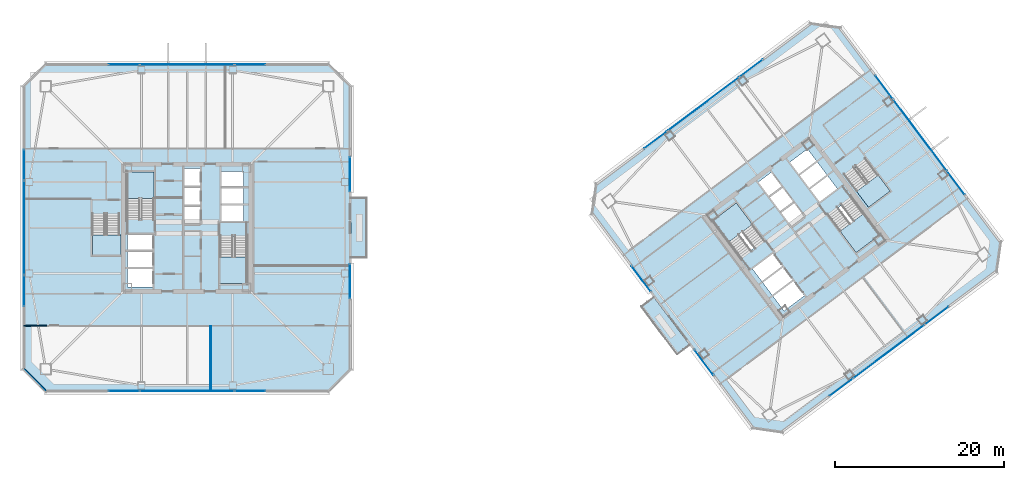
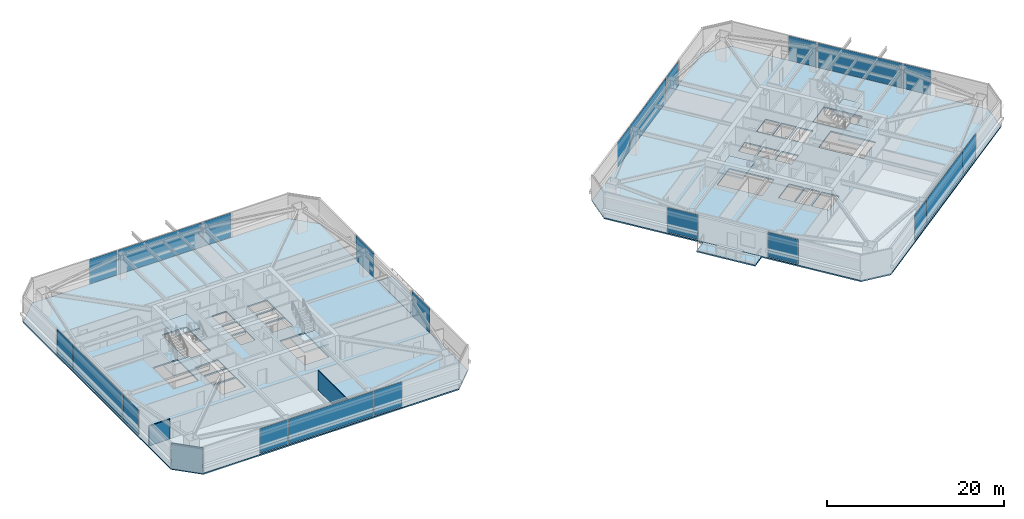
# One storey, part 29 of 40: 22 plates, 10 slabs, 3 walls, 28 elements without a shape of their own.
"""IFC4 building model written with IfcOpenShell, lengths in metres."""

import ifcopenshell
import ifcopenshell.guid

model = None  # the IFC model being written
_history = None  # IfcOwnerHistory: only IFC2X3 demands one
_inside = {}  # id of a spatial element -> (the spatial element, [elements in it])
_under = {}  # id of a project, library or spatial element -> (it, [spatial elements below it])
_declared = {}  # id of a project -> (the project, [libraries it declares])
_typed = {}  # id of a type object -> (the type object, [elements of that type])
_made_of = {}  # id of a material, layer set ... -> (it, [elements and type objects made of it])


def new_model(schema):
    """Start an empty IFC model of exactly this schema.

    Asked for "IFC4X3", IfcOpenShell would pick the latest addendum, in which some entities
    have other attributes; the version numbers below select the first issue.
    IFC2X3 requires an IfcOwnerHistory on every rooted entity: one is made here for all.
    """
    global model, _history
    if schema == "IFC4X3":
        model = ifcopenshell.file(schema_version=(4, 3, 0, 0))
    else:
        model = ifcopenshell.file(schema=schema)
    _inside.clear()
    _under.clear()
    _declared.clear()
    _typed.clear()
    _made_of.clear()
    _history = None
    if model.schema == "IFC2X3":
        org = make("IfcOrganization", Name="unknown")
        user = make(
            "IfcPersonAndOrganization",
            ThePerson=make("IfcPerson", FamilyName="unknown"),
            TheOrganization=org,
        )
        app = make(
            "IfcApplication",
            ApplicationDeveloper=org,
            Version="unknown",
            ApplicationFullName="unknown",
            ApplicationIdentifier="unknown",
        )
        _history = make(
            "IfcOwnerHistory",
            OwningUser=user,
            OwningApplication=app,
            ChangeAction="ADDED",
            CreationDate=0,
        )
    return model


def make(cls, **values):
    """One entity of the class cls with the attributes given. An attribute that is None is left unset."""
    return model.create_entity(
        cls, **{name: value for name, value in values.items() if value is not None}
    )


def rooted(cls, **values):
    """An entity with a GlobalId (a new one), such as an element, a storey or a relation."""
    return make(cls, GlobalId=ifcopenshell.guid.new(), OwnerHistory=_history, **values)


def si_unit(unit_type, name, prefix=None):
    """IfcSIUnit, for example si_unit("LENGTHUNIT", "METRE", prefix="MILLI")."""
    return make("IfcSIUnit", UnitType=unit_type, Prefix=prefix, Name=name)


def assignment(units):
    """IfcUnitAssignment: the units of a project."""
    return None if units is None else make("IfcUnitAssignment", Units=units)


def point(xyz):
    """IfcCartesianPoint."""
    return None if xyz is None else make("IfcCartesianPoint", Coordinates=xyz)


def direction(xyz):
    """IfcDirection."""
    return None if xyz is None else make("IfcDirection", DirectionRatios=xyz)


def frame(location, z_axis=None, x_axis=None):
    """IfcAxis2Placement3D, a coordinate frame: its origin and axes. An axis left out is left unset."""
    return make(
        "IfcAxis2Placement3D",
        Location=point(location),
        Axis=direction(z_axis),
        RefDirection=direction(x_axis),
    )


def frame_2d(location, x_axis=None):
    """IfcAxis2Placement2D, a coordinate frame in the plane: its origin and x axis."""
    return make(
        "IfcAxis2Placement2D", Location=point(location), RefDirection=direction(x_axis)
    )


def origin():
    """The frame at (0, 0, 0) with its axes left unset."""
    return frame((0.0, 0.0, 0.0))


def origin_2d():
    """The frame at (0, 0) in the plane with its x axis left unset."""
    return frame_2d((0.0, 0.0))


def place(relative_to, where):
    """IfcLocalPlacement: puts the frame where relative to a parent placement (None: the world)."""
    return make(
        "IfcLocalPlacement", PlacementRelTo=relative_to, RelativePlacement=where
    )


def context(
    kind, dimensions, precision=None, world=None, true_north=None, identifier=None
):
    """IfcGeometricRepresentationContext, for example the 3D "Model" context."""
    return make(
        "IfcGeometricRepresentationContext",
        ContextIdentifier=identifier,
        ContextType=kind,
        CoordinateSpaceDimension=dimensions,
        Precision=precision,
        WorldCoordinateSystem=world,
        TrueNorth=true_north,
    )


def subcontext(parent, identifier, kind, view, scale=None):
    """IfcGeometricRepresentationSubContext, for example "Body" below "Model"."""
    return make(
        "IfcGeometricRepresentationSubContext",
        ContextIdentifier=identifier,
        ContextType=kind,
        ParentContext=parent,
        TargetScale=scale,
        TargetView=view,
    )


def project(units=None, contexts=None):
    """IfcProject with its units and contexts."""
    return rooted(
        "IfcProject",
        Name="project",
        RepresentationContexts=contexts,
        UnitsInContext=assignment(units),
    )


def spatial(cls, under=None, at=None, **own):
    """A site, building, storey or space (cls), placed at a placement, below another one or the project."""
    s = rooted(cls, ObjectPlacement=at, **own)
    if under is not None:
        _under.setdefault(under.id(), (under, []))[1].append(s)
    return s


def polyline(points):
    """IfcPolyline through the points."""
    return make("IfcPolyline", Points=[point(p) for p in points])


def profile(cls, at=None, kind="AREA", **sizes):
    """A parametric profile (cls). Its sizes go by their IFC names, for example OverallWidth=200.0."""
    return make(cls, ProfileType=kind, Position=at, **sizes)


def rectangle(**sizes):
    """IfcRectangleProfileDef."""
    return profile("IfcRectangleProfileDef", **sizes)


def outline(outer, holes=None, kind="AREA"):
    """IfcArbitraryClosedProfileDef: a profile drawn as a closed curve; with holes, ...WithVoids."""
    if holes is None:
        return make("IfcArbitraryClosedProfileDef", ProfileType=kind, OuterCurve=outer)
    return make(
        "IfcArbitraryProfileDefWithVoids",
        ProfileType=kind,
        OuterCurve=outer,
        InnerCurves=holes,
    )


def extrude(swept, where, along, depth):
    """IfcExtrudedAreaSolid: the profile swept, set in the frame where, extruded along a direction by depth."""
    return make(
        "IfcExtrudedAreaSolid",
        SweptArea=swept,
        Position=where,
        ExtrudedDirection=direction(along),
        Depth=depth,
    )


def shape(context_of_items, identifier, shape_type, items):
    """IfcShapeRepresentation: the items that make up one representation, for example the "Body"."""
    return make(
        "IfcShapeRepresentation",
        ContextOfItems=context_of_items,
        RepresentationIdentifier=identifier,
        RepresentationType=shape_type,
        Items=items,
    )


def material(Name=None, Category=None):
    """IfcMaterial."""
    return make("IfcMaterial", Name=Name, Category=Category)


def layer(
    of_material, thickness, ventilated=None, Name=None, Category=None, Priority=None
):
    """IfcMaterialLayer: one layer of a wall or slab, of a material (None: an air gap)."""
    return make(
        "IfcMaterialLayer",
        Material=of_material,
        LayerThickness=thickness,
        IsVentilated=ventilated,
        Name=Name,
        Category=Category,
        Priority=Priority,
    )


def layer_set(layers, Name=None):
    """IfcMaterialLayerSet."""
    return make("IfcMaterialLayerSet", MaterialLayers=layers, LayerSetName=Name)


def made_of(thing, what):
    """Note that an element or type object is made of a material, layer set ...; save() writes the relation."""
    if what is not None:
        _made_of.setdefault(what.id(), (what, []))[1].append(thing)
    return thing


def type_object(cls, material=None, **own):
    """A type object (cls), such as IfcWallType, which elements share."""
    return made_of(rooted(cls, **own), material)


def element(
    cls,
    number,
    at=None,
    inside=None,
    cuts=None,
    type_object=None,
    material=None,
    context=None,
    identifier="Body",
    shape_type=None,
    held_by="IfcProductDefinitionShape",
    body=None,
    shapes=None,
    **own,
):
    """One element of the class cls, such as IfcWall. Its Tag is "e" and its number.

    at: its placement. inside: the storey or other place that contains it. cuts: it is an
    opening in that element (IfcRelVoidsElement). A single representation is given by context,
    identifier, shape_type and body (its items); several are given by shapes. held_by: the class
    of the entity that holds the representations. save() writes the other relations.
    """
    e = rooted(cls, Tag="e%d" % number, ObjectPlacement=at, **own)
    if body is not None:
        shapes = [shape(context, identifier, shape_type, body)]
    if shapes is not None:
        e.Representation = make(held_by, Representations=shapes)
    if inside is not None:
        _inside.setdefault(inside.id(), (inside, []))[1].append(e)
    if cuts is not None:
        rooted(
            "IfcRelVoidsElement", RelatingBuildingElement=cuts, RelatedOpeningElement=e
        )
    if type_object is not None:
        _typed.setdefault(type_object.id(), (type_object, []))[1].append(e)
    return made_of(e, material)


def aggregate(whole, parts):
    """IfcRelAggregates: a whole, such as a stair, and the parts it consists of."""
    return rooted("IfcRelAggregates", RelatingObject=whole, RelatedObjects=parts)


def save(model, path):
    """Write the relations noted so far, then the file.

    IfcRelAggregates (storeys below a building ...), IfcRelContainedInSpatialStructure (elements
    in a storey), IfcRelDefinesByType, IfcRelAssociatesMaterial and IfcRelDeclares: one each for
    every whole, place, type object, material and project.
    """
    for whole, parts in _under.values():
        aggregate(whole, parts)
    for where, things in _inside.values():
        rooted(
            "IfcRelContainedInSpatialStructure",
            RelatedElements=things,
            RelatingStructure=where,
        )
    for kind, things in _typed.values():
        rooted("IfcRelDefinesByType", RelatedObjects=things, RelatingType=kind)
    for what, things in _made_of.values():
        rooted("IfcRelAssociatesMaterial", RelatedObjects=things, RelatingMaterial=what)
    for by, libraries in _declared.values():
        rooted("IfcRelDeclares", RelatingContext=by, RelatedDefinitions=libraries)
    model.write(path)


model = new_model("IFC4")

# Units and contexts
model_context = context("Model", 3, precision=1e-05, world=origin(), true_north=direction((0.0, 1.0)))
body_context = subcontext(model_context, "Body", "Model", "MODEL_VIEW")
ifc_project = project(units=[si_unit("LENGTHUNIT", "METRE"), si_unit("AREAUNIT", "SQUARE_METRE"), si_unit("VOLUMEUNIT", "CUBIC_METRE"), si_unit("PLANEANGLEUNIT", "RADIAN"), si_unit("MASSUNIT", "GRAM", prefix="KILO")], contexts=[model_context])

# Site, building, storey
site_placement = place(None, origin())
site = spatial("IfcSite", under=ifc_project, at=site_placement, CompositionType="ELEMENT")
building_placement = place(site_placement, origin())
building = spatial("IfcBuilding", under=site, at=building_placement, Name="Tashvorn Skyway Center", CompositionType="ELEMENT")
storey_placement = place(building_placement, frame((0.0, 0.0, 142.800048828125)))
storey = spatial("IfcBuildingStorey", under=building, at=storey_placement, Name="L38", CompositionType="ELEMENT", Elevation=142.800048828125)

# Curtain wall, plate
ifc_material_1 = material(Name="Thermally broken bronze-anodized aluminium 6063-T6", Category="aluminium")
curtain_wall_type = type_object("IfcCurtainWallType", Name="CW-CW-Z3", PredefinedType="NOTDEFINED", material=ifc_material_1)
curtain_wall_1_placement = place(storey_placement, origin())
curtain_wall_1 = element("IfcCurtainWall", 1, at=curtain_wall_1_placement, inside=storey, type_object=curtain_wall_type, Name="Tower 1 L38 South Unitised Curtain Wall Glazing Group 1", PredefinedType="NOTDEFINED")
ifc_material_2 = material(Name="Low-E solar-control double insulating safety glass", Category="glass")
ifc_layer_1 = layer(ifc_material_2, 0.0400390625)
ifc_layer_set_1 = layer_set([ifc_layer_1], Name="Low-E solar-control double insulating safety glass")
plate_type = type_object("IfcPlateType", Name="CWP-CW-Z3", PredefinedType="CURTAIN_PANEL", material=ifc_layer_set_1)
plate_1_placement = place(storey_placement, frame((49.457763671875, 12.719970703125, 0.074951171875), z_axis=(0.0, 0.0, 1.0), x_axis=(-1.0, 0.0, 0.0)))
plate_1 = element("IfcPlate", 2, at=plate_1_placement, type_object=plate_type, Name="CW-Z3 panel 1.1", PredefinedType="CURTAIN_PANEL", context=body_context, shape_type="SweptSolid", body=[
    extrude(rectangle(XDim=3.578857421875, YDim=0.0400390625, at=origin_2d()), origin(), (0.0, 0.0, 1.0), 3.39990234375),
])
aggregate(curtain_wall_1, [plate_1])

curtain_wall_2_placement = place(storey_placement, origin())
curtain_wall_2 = element("IfcCurtainWall", 3, at=curtain_wall_2_placement, inside=storey, type_object=curtain_wall_type, Name="Tower 1 L38 South Unitised Curtain Wall Glazing Group 2", PredefinedType="NOTDEFINED")
plate_2_placement = place(storey_placement, frame((42.0, 12.719970703125, 0.074951171875), z_axis=(0.0, 0.0, 1.0), x_axis=(-1.0, 0.0, 0.0)))
plate_2 = element("IfcPlate", 4, at=plate_2_placement, type_object=plate_type, Name="CW-Z3 panel 1.1", PredefinedType="CURTAIN_PANEL", context=body_context, shape_type="SweptSolid", body=[
    extrude(rectangle(XDim=11.03662109375, YDim=0.0400390625, at=origin_2d()), origin(), (0.0, 0.0, 1.0), 3.39990234375),
])
aggregate(curtain_wall_2, [plate_2])

curtain_wall_3_placement = place(storey_placement, origin())
curtain_wall_3 = element("IfcCurtainWall", 5, at=curtain_wall_3_placement, inside=storey, type_object=curtain_wall_type, Name="Tower 1 L38 South Unitised Curtain Wall Glazing Group 3", PredefinedType="NOTDEFINED")
plate_3_placement = place(storey_placement, frame((34.542236328125, 12.719970703125, 0.074951171875), z_axis=(0.0, 0.0, 1.0), x_axis=(-1.0, 0.0, 0.0)))
plate_3 = element("IfcPlate", 6, at=plate_3_placement, type_object=plate_type, Name="CW-Z3 panel 1.1", PredefinedType="CURTAIN_PANEL", context=body_context, shape_type="SweptSolid", body=[
    extrude(rectangle(XDim=3.578857421875, YDim=0.0400390625, at=origin_2d()), origin(), (0.0, 0.0, 1.0), 3.39990234375),
])
aggregate(curtain_wall_3, [plate_3])

curtain_wall_4_placement = place(storey_placement, origin())
curtain_wall_4 = element("IfcCurtainWall", 7, at=curtain_wall_4_placement, inside=storey, type_object=curtain_wall_type, Name="Tower 1 L38 West Unitised Curtain Wall Glazing Group 1", PredefinedType="NOTDEFINED")
plate_4_placement = place(storey_placement, frame((22.719970703125, 24.542236328125, 0.074951171875), z_axis=(0.0, 0.0, 1.0), x_axis=(0.0, 1.0, 0.0)))
plate_4 = element("IfcPlate", 8, at=plate_4_placement, type_object=plate_type, Name="CW-Z3 panel 1.1", PredefinedType="CURTAIN_PANEL", context=body_context, shape_type="SweptSolid", body=[
    extrude(rectangle(XDim=3.578857421875, YDim=0.0400390625, at=origin_2d()), origin(), (0.0, 0.0, 1.0), 3.39990234375),
])
aggregate(curtain_wall_4, [plate_4])

curtain_wall_5_placement = place(storey_placement, origin())
curtain_wall_5 = element("IfcCurtainWall", 9, at=curtain_wall_5_placement, inside=storey, type_object=curtain_wall_type, Name="Tower 1 L38 West Unitised Curtain Wall Glazing Group 2", PredefinedType="NOTDEFINED")
plate_5_placement = place(storey_placement, frame((22.719970703125, 32.0, 0.074951171875), z_axis=(0.0, 0.0, 1.0), x_axis=(0.0, 1.0, 0.0)))
plate_5 = element("IfcPlate", 10, at=plate_5_placement, type_object=plate_type, Name="CW-Z3 panel 1.1", PredefinedType="CURTAIN_PANEL", context=body_context, shape_type="SweptSolid", body=[
    extrude(rectangle(XDim=11.03662109375, YDim=0.0400390625, at=origin_2d()), origin(), (0.0, 0.0, 1.0), 3.39990234375),
])
aggregate(curtain_wall_5, [plate_5])

curtain_wall_6_placement = place(storey_placement, origin())
curtain_wall_6 = element("IfcCurtainWall", 11, at=curtain_wall_6_placement, inside=storey, type_object=curtain_wall_type, Name="Tower 1 L38 West Unitised Curtain Wall Glazing Group 3", PredefinedType="NOTDEFINED")
plate_6_placement = place(storey_placement, frame((22.719970703125, 39.457763671875, 0.074951171875), z_axis=(0.0, 0.0, 1.0), x_axis=(0.0, 1.0, 0.0)))
plate_6 = element("IfcPlate", 12, at=plate_6_placement, type_object=plate_type, Name="CW-Z3 panel 1.1", PredefinedType="CURTAIN_PANEL", context=body_context, shape_type="SweptSolid", body=[
    extrude(rectangle(XDim=3.578857421875, YDim=0.0400390625, at=origin_2d()), origin(), (0.0, 0.0, 1.0), 3.39990234375),
])
aggregate(curtain_wall_6, [plate_6])

curtain_wall_7_placement = place(storey_placement, origin())
curtain_wall_7 = element("IfcCurtainWall", 13, at=curtain_wall_7_placement, inside=storey, type_object=curtain_wall_type, Name="Tower 1 L38 North Unitised Curtain Wall Glazing Group 1", PredefinedType="NOTDEFINED")
plate_7_placement = place(storey_placement, frame((34.542236328125, 51.280029296875, 0.074951171875), z_axis=(0.0, 0.0, 1.0), x_axis=(1.0, 0.0, 0.0)))
plate_7 = element("IfcPlate", 14, at=plate_7_placement, type_object=plate_type, Name="CW-Z3 panel 1.1", PredefinedType="CURTAIN_PANEL", context=body_context, shape_type="SweptSolid", body=[
    extrude(rectangle(XDim=3.578857421875, YDim=0.0400390625, at=origin_2d()), origin(), (0.0, 0.0, 1.0), 3.39990234375),
])
aggregate(curtain_wall_7, [plate_7])

curtain_wall_8_placement = place(storey_placement, origin())
curtain_wall_8 = element("IfcCurtainWall", 15, at=curtain_wall_8_placement, inside=storey, type_object=curtain_wall_type, Name="Tower 1 L38 North Unitised Curtain Wall Glazing Group 2", PredefinedType="NOTDEFINED")
plate_8_placement = place(storey_placement, frame((42.0, 51.280029296875, 0.074951171875), z_axis=(0.0, 0.0, 1.0), x_axis=(1.0, 0.0, 0.0)))
plate_8 = element("IfcPlate", 16, at=plate_8_placement, type_object=plate_type, Name="CW-Z3 panel 1.1", PredefinedType="CURTAIN_PANEL", context=body_context, shape_type="SweptSolid", body=[
    extrude(rectangle(XDim=11.03662109375, YDim=0.0400390625, at=origin_2d()), origin(), (0.0, 0.0, 1.0), 3.39990234375),
])
aggregate(curtain_wall_8, [plate_8])

curtain_wall_9_placement = place(storey_placement, origin())
curtain_wall_9 = element("IfcCurtainWall", 17, at=curtain_wall_9_placement, inside=storey, type_object=curtain_wall_type, Name="Tower 1 L38 North Unitised Curtain Wall Glazing Group 3", PredefinedType="NOTDEFINED")
plate_9_placement = place(storey_placement, frame((49.457763671875, 51.280029296875, 0.074951171875), z_axis=(0.0, 0.0, 1.0), x_axis=(1.0, 0.0, 0.0)))
plate_9 = element("IfcPlate", 18, at=plate_9_placement, type_object=plate_type, Name="CW-Z3 panel 1.1", PredefinedType="CURTAIN_PANEL", context=body_context, shape_type="SweptSolid", body=[
    extrude(rectangle(XDim=3.578857421875, YDim=0.0400390625, at=origin_2d()), origin(), (0.0, 0.0, 1.0), 3.39990234375),
])
aggregate(curtain_wall_9, [plate_9])

curtain_wall_10_placement = place(storey_placement, origin())
curtain_wall_10 = element("IfcCurtainWall", 19, at=curtain_wall_10_placement, inside=storey, type_object=curtain_wall_type, Name="Tower 1 L38 East Curtain Wall L Glazing Group 1", PredefinedType="NOTDEFINED")
plate_10_placement = place(storey_placement, frame((61.280029296875, 38.33837890625, 0.074951171875), z_axis=(0.0, 0.0, 1.0), x_axis=(0.0, -1.0, 0.0)))
plate_10 = element("IfcPlate", 20, at=plate_10_placement, type_object=plate_type, Name="CW-Z3 panel 1.1", PredefinedType="CURTAIN_PANEL", context=body_context, shape_type="SweptSolid", body=[
    extrude(rectangle(XDim=4.026611328125, YDim=0.0400390625, at=origin_2d()), origin(), (0.0, 0.0, 1.0), 3.39990234375),
])
aggregate(curtain_wall_10, [plate_10])

curtain_wall_11_placement = place(storey_placement, origin())
curtain_wall_11 = element("IfcCurtainWall", 21, at=curtain_wall_11_placement, inside=storey, type_object=curtain_wall_type, Name="Tower 1 L38 East Curtain Wall R Glazing Group 1", PredefinedType="NOTDEFINED")
plate_11_placement = place(storey_placement, frame((61.280029296875, 25.66162109375, 0.074951171875), z_axis=(0.0, 0.0, 1.0), x_axis=(0.0, -1.0, 0.0)))
plate_11 = element("IfcPlate", 22, at=plate_11_placement, type_object=plate_type, Name="CW-Z3 panel 1.1", PredefinedType="CURTAIN_PANEL", context=body_context, shape_type="SweptSolid", body=[
    extrude(rectangle(XDim=4.026611328125, YDim=0.0400390625, at=origin_2d()), origin(), (0.0, 0.0, 1.0), 3.39990234375),
])
aggregate(curtain_wall_11, [plate_11])

curtain_wall_12_placement = place(storey_placement, origin())
curtain_wall_12 = element("IfcCurtainWall", 23, at=curtain_wall_12_placement, inside=storey, type_object=curtain_wall_type, Name="Tower 2 L38 South Unitised Curtain Wall Glazing Group 1", PredefinedType="NOTDEFINED")
plate_12_placement = place(storey_placement, frame((130.6142578125, 21.610595703125, 0.074951171875), z_axis=(0.0, 0.0, 1.0), x_axis=(-0.800003400519, -0.599995465948, 0.0)))
plate_12 = element("IfcPlate", 24, at=plate_12_placement, type_object=plate_type, Name="CW-Z3 panel 1.1", PredefinedType="CURTAIN_PANEL", context=body_context, shape_type="SweptSolid", body=[
    extrude(rectangle(XDim=3.37890625, YDim=0.0400390625, at=origin_2d()), origin(), (0.0, 0.0, 1.0), 3.39990234375),
])
aggregate(curtain_wall_12, [plate_12])

curtain_wall_13_placement = place(storey_placement, origin())
curtain_wall_13 = element("IfcCurtainWall", 25, at=curtain_wall_13_placement, inside=storey, type_object=curtain_wall_type, Name="Tower 2 L38 South Unitised Curtain Wall Glazing Group 2", PredefinedType="NOTDEFINED")
plate_13_placement = place(storey_placement, frame((124.968017578125, 17.3759765625, 0.074951171875), z_axis=(0.0, 0.0, 1.0), x_axis=(-0.800002266987, -0.599996977339, 0.0)))
plate_13 = element("IfcPlate", 26, at=plate_13_placement, type_object=plate_type, Name="CW-Z3 panel 1.1", PredefinedType="CURTAIN_PANEL", context=body_context, shape_type="SweptSolid", body=[
    extrude(rectangle(XDim=10.436767578125, YDim=0.0400390625, at=origin_2d()), origin(), (0.0, 0.0, 1.0), 3.39990234375),
])
aggregate(curtain_wall_13, [plate_13])

curtain_wall_14_placement = place(storey_placement, origin())
curtain_wall_14 = element("IfcCurtainWall", 27, at=curtain_wall_14_placement, inside=storey, type_object=curtain_wall_type, Name="Tower 2 L38 South Unitised Curtain Wall Glazing Group 3", PredefinedType="NOTDEFINED")
plate_14_placement = place(storey_placement, frame((119.32177734375, 13.141357421875, 0.074951171875), z_axis=(0.0, 0.0, 1.0), x_axis=(-0.800003400519, -0.599995465948, 0.0)))
plate_14 = element("IfcPlate", 28, at=plate_14_placement, type_object=plate_type, Name="CW-Z3 panel 1.1", PredefinedType="CURTAIN_PANEL", context=body_context, shape_type="SweptSolid", body=[
    extrude(rectangle(XDim=3.37890625, YDim=0.0400390625, at=origin_2d()), origin(), (0.0, 0.0, 1.0), 3.39990234375),
])
aggregate(curtain_wall_14, [plate_14])

curtain_wall_15_placement = place(storey_placement, origin())
curtain_wall_15 = element("IfcCurtainWall", 29, at=curtain_wall_15_placement, inside=storey, type_object=curtain_wall_type, Name="Tower 2 L38 West Curtain Wall L Glazing Group 1", PredefinedType="NOTDEFINED")
plate_15_placement = place(storey_placement, frame((103.089111328125, 16.081298828125, 0.074951171875), z_axis=(0.0, 0.0, 1.0), x_axis=(-0.600004127279, 0.799996904524, 0.0)))
plate_15 = element("IfcPlate", 30, at=plate_15_placement, type_object=plate_type, Name="CW-Z3 panel 1.1", PredefinedType="CURTAIN_PANEL", context=body_context, shape_type="SweptSolid", body=[
    extrude(rectangle(XDim=3.7265625, YDim=0.0400390625, at=origin_2d()), origin(), (0.0, 0.0, 1.0), 3.39990234375),
])
aggregate(curtain_wall_15, [plate_15])

curtain_wall_16_placement = place(storey_placement, origin())
curtain_wall_16 = element("IfcCurtainWall", 31, at=curtain_wall_16_placement, inside=storey, type_object=curtain_wall_type, Name="Tower 2 L38 West Curtain Wall R Glazing Group 1", PredefinedType="NOTDEFINED")
plate_16_placement = place(storey_placement, frame((95.6630859375, 25.982666015625, 0.074951171875), z_axis=(0.0, 0.0, 1.0), x_axis=(-0.600004127279, 0.799996904524, 0.0)))
plate_16 = element("IfcPlate", 32, at=plate_16_placement, type_object=plate_type, Name="CW-Z3 panel 1.1", PredefinedType="CURTAIN_PANEL", context=body_context, shape_type="SweptSolid", body=[
    extrude(rectangle(XDim=3.7265625, YDim=0.0400390625, at=origin_2d()), origin(), (0.0, 0.0, 1.0), 3.39990234375),
])
aggregate(curtain_wall_16, [plate_16])

curtain_wall_17_placement = place(storey_placement, origin())
curtain_wall_17 = element("IfcCurtainWall", 33, at=curtain_wall_17_placement, inside=storey, type_object=curtain_wall_type, Name="Tower 2 L38 North Unitised Curtain Wall Glazing Group 1", PredefinedType="NOTDEFINED")
plate_17_placement = place(storey_placement, frame((97.3857421875, 42.389404296875, 0.074951171875), z_axis=(0.0, 0.0, 1.0), x_axis=(0.800003400519, 0.599995465948, 0.0)))
plate_17 = element("IfcPlate", 34, at=plate_17_placement, type_object=plate_type, Name="CW-Z3 panel 1.1", PredefinedType="CURTAIN_PANEL", context=body_context, shape_type="SweptSolid", body=[
    extrude(rectangle(XDim=3.37890625, YDim=0.0400390625, at=origin_2d()), origin(), (0.0, 0.0, 1.0), 3.39990234375),
])
aggregate(curtain_wall_17, [plate_17])

curtain_wall_18_placement = place(storey_placement, origin())
curtain_wall_18 = element("IfcCurtainWall", 35, at=curtain_wall_18_placement, inside=storey, type_object=curtain_wall_type, Name="Tower 2 L38 North Unitised Curtain Wall Glazing Group 2", PredefinedType="NOTDEFINED")
plate_18_placement = place(storey_placement, frame((103.031982421875, 46.6240234375, 0.074951171875), z_axis=(0.0, 0.0, 1.0), x_axis=(0.800002266987, 0.599996977339, 0.0)))
plate_18 = element("IfcPlate", 36, at=plate_18_placement, type_object=plate_type, Name="CW-Z3 panel 1.1", PredefinedType="CURTAIN_PANEL", context=body_context, shape_type="SweptSolid", body=[
    extrude(rectangle(XDim=10.436767578125, YDim=0.0400390625, at=origin_2d()), origin(), (0.0, 0.0, 1.0), 3.39990234375),
])
aggregate(curtain_wall_18, [plate_18])

curtain_wall_19_placement = place(storey_placement, origin())
curtain_wall_19 = element("IfcCurtainWall", 37, at=curtain_wall_19_placement, inside=storey, type_object=curtain_wall_type, Name="Tower 2 L38 North Unitised Curtain Wall Glazing Group 3", PredefinedType="NOTDEFINED")
plate_19_placement = place(storey_placement, frame((108.67822265625, 50.858642578125, 0.074951171875), z_axis=(0.0, 0.0, 1.0), x_axis=(0.800003400519, 0.599995465948, 0.0)))
plate_19 = element("IfcPlate", 38, at=plate_19_placement, type_object=plate_type, Name="CW-Z3 panel 1.1", PredefinedType="CURTAIN_PANEL", context=body_context, shape_type="SweptSolid", body=[
    extrude(rectangle(XDim=3.37890625, YDim=0.0400390625, at=origin_2d()), origin(), (0.0, 0.0, 1.0), 3.39990234375),
])
aggregate(curtain_wall_19, [plate_19])

curtain_wall_20_placement = place(storey_placement, origin())
curtain_wall_20 = element("IfcCurtainWall", 39, at=curtain_wall_20_placement, inside=storey, type_object=curtain_wall_type, Name="Tower 2 L38 East Unitised Curtain Wall Glazing Group 1", PredefinedType="NOTDEFINED")
plate_20_placement = place(storey_placement, frame((124.389404296875, 48.6142578125, 0.074951171875), z_axis=(0.0, 0.0, 1.0), x_axis=(0.599995465948, -0.800003400519, 0.0)))
plate_20 = element("IfcPlate", 40, at=plate_20_placement, type_object=plate_type, Name="CW-Z3 panel 1.1", PredefinedType="CURTAIN_PANEL", context=body_context, shape_type="SweptSolid", body=[
    extrude(rectangle(XDim=3.37890625, YDim=0.0400390625, at=origin_2d()), origin(), (0.0, 0.0, 1.0), 3.39990234375),
])
aggregate(curtain_wall_20, [plate_20])

curtain_wall_21_placement = place(storey_placement, origin())
curtain_wall_21 = element("IfcCurtainWall", 41, at=curtain_wall_21_placement, inside=storey, type_object=curtain_wall_type, Name="Tower 2 L38 East Unitised Curtain Wall Glazing Group 2", PredefinedType="NOTDEFINED")
plate_21_placement = place(storey_placement, frame((128.6240234375, 42.968017578125, 0.074951171875), z_axis=(0.0, 0.0, 1.0), x_axis=(0.599996977339, -0.800002266987, 0.0)))
plate_21 = element("IfcPlate", 42, at=plate_21_placement, type_object=plate_type, Name="CW-Z3 panel 1.1", PredefinedType="CURTAIN_PANEL", context=body_context, shape_type="SweptSolid", body=[
    extrude(rectangle(XDim=10.436767578125, YDim=0.0400390625, at=origin_2d()), origin(), (0.0, 0.0, 1.0), 3.39990234375),
])
aggregate(curtain_wall_21, [plate_21])

curtain_wall_22_placement = place(storey_placement, origin())
curtain_wall_22 = element("IfcCurtainWall", 43, at=curtain_wall_22_placement, inside=storey, type_object=curtain_wall_type, Name="Tower 2 L38 East Unitised Curtain Wall Glazing Group 3", PredefinedType="NOTDEFINED")
plate_22_placement = place(storey_placement, frame((132.858642578125, 37.32177734375, 0.074951171875), z_axis=(0.0, 0.0, 1.0), x_axis=(0.599995465948, -0.800003400519, 0.0)))
plate_22 = element("IfcPlate", 44, at=plate_22_placement, type_object=plate_type, Name="CW-Z3 panel 1.1", PredefinedType="CURTAIN_PANEL", context=body_context, shape_type="SweptSolid", body=[
    extrude(rectangle(XDim=3.37890625, YDim=0.0400390625, at=origin_2d()), origin(), (0.0, 0.0, 1.0), 3.39990234375),
])
aggregate(curtain_wall_22, [plate_22])

# Slabs
ifc_material_3 = material(Name="Concrete C40/50", Category="concrete")
ifc_layer_2 = layer(ifc_material_3, 0.179931640625)
ifc_layer_set_2 = layer_set([ifc_layer_2], Name="Concrete C40/50")
slab_type_1 = type_object("IfcSlabType", Name="SLAB-FLR-180", PredefinedType="FLOOR", material=ifc_layer_set_2)
slab_1_placement = place(storey_placement, frame((0.0, 0.0, -0.179931640625)))
element("IfcSlab", 45, at=slab_1_placement, inside=storey, type_object=slab_type_1, Name="Tower 1 L38 Composite Floor Slab", PredefinedType="FLOOR", context=body_context, shape_type="SweptSolid", body=[
    extrude(outline(polyline([(25.300048828125, 12.60009765625), (58.699951171875, 12.60009765625), (61.39990234375, 15.300048828125), (61.39990234375, 48.699951171875), (58.699951171875, 51.39990234375), (25.300048828125, 51.39990234375), (22.60009765625, 48.699951171875), (22.60009765625, 15.300048828125), (25.300048828125, 12.60009765625)]), holes=[polyline([(38.10009765625, 33.080078125), (38.10009765625, 38.60009765625), (34.89990234375, 38.60009765625), (34.89990234375, 33.080078125), (38.10009765625, 33.080078125)]), polyline([(45.89990234375, 30.919921875), (45.89990234375, 25.39990234375), (49.10009765625, 25.39990234375), (49.10009765625, 30.919921875), (45.89990234375, 30.919921875)]), polyline([(30.800048828125, 33.52001953125), (30.800048828125, 28.800048828125), (34.0, 28.800048828125), (34.0, 33.52001953125), (30.800048828125, 33.52001953125)]), polyline([(34.949951171875, 29.35009765625), (37.949951171875, 29.35009765625), (37.949951171875, 31.199951171875), (34.949951171875, 31.199951171875), (34.949951171875, 29.35009765625)]), polyline([(34.949951171875, 27.35009765625), (37.949951171875, 27.35009765625), (37.949951171875, 29.199951171875), (34.949951171875, 29.199951171875), (34.949951171875, 27.35009765625)]), polyline([(34.949951171875, 25.0), (37.949951171875, 25.0), (37.949951171875, 27.14990234375), (34.949951171875, 27.14990234375), (34.949951171875, 25.0)]), polyline([(41.64990234375, 32.449951171875), (43.550048828125, 32.449951171875), (43.550048828125, 34.5), (41.64990234375, 34.5), (41.64990234375, 32.449951171875)]), polyline([(41.64990234375, 34.699951171875), (43.550048828125, 34.699951171875), (43.550048828125, 36.75), (41.64990234375, 36.75), (41.64990234375, 34.699951171875)]), polyline([(41.64990234375, 36.949951171875), (43.550048828125, 36.949951171875), (43.550048828125, 39.0), (41.64990234375, 39.0), (41.64990234375, 36.949951171875)]), polyline([(46.050048828125, 32.800048828125), (48.64990234375, 32.800048828125), (48.64990234375, 34.64990234375), (46.050048828125, 34.64990234375), (46.050048828125, 32.800048828125)]), polyline([(46.050048828125, 34.85009765625), (48.64990234375, 34.85009765625), (48.64990234375, 36.699951171875), (46.050048828125, 36.699951171875), (46.050048828125, 34.85009765625)]), polyline([(46.050048828125, 36.89990234375), (48.64990234375, 36.89990234375), (48.64990234375, 38.64990234375), (46.050048828125, 38.64990234375), (46.050048828125, 36.89990234375)])]), origin(), (0.0, 0.0, 1.0), 0.179931640625),
])
slab_2_placement = place(storey_placement, frame((0.0, 0.0, -0.179931640625)))
element("IfcSlab", 46, at=slab_2_placement, inside=storey, type_object=slab_type_1, Name="Tower 2 L38 Composite Floor Slab", PredefinedType="FLOOR", context=body_context, shape_type="SweptSolid", body=[
    extrude(outline(polyline([(112.39990234375, 7.800048828125), (137.679931640625, 26.760009765625), (138.199951171875, 30.39990234375), (119.239990234375, 55.679931640625), (115.60009765625, 56.199951171875), (90.320068359375, 37.239990234375), (89.800048828125, 33.60009765625), (108.760009765625, 8.320068359375), (112.39990234375, 7.800048828125)]), holes=[polyline([(110.23193359375, 30.52392578125), (106.919921875, 34.93994140625), (104.135986328125, 32.85205078125), (107.447998046875, 28.43603515625), (110.23193359375, 30.52392578125)]), polyline([(117.76806640625, 33.47607421875), (121.080078125, 29.06005859375), (123.864013671875, 31.14794921875), (120.552001953125, 35.56396484375), (117.76806640625, 33.47607421875)]), polyline([(119.7119140625, 38.18408203125), (122.5439453125, 34.407958984375), (125.10400390625, 36.327880859375), (122.27197265625, 40.10400390625), (119.7119140625, 38.18408203125)]), polyline([(109.949951171875, 25.64990234375), (112.35009765625, 27.449951171875), (111.239990234375, 28.929931640625), (108.840087890625, 27.1298828125), (109.949951171875, 25.64990234375)]), polyline([(111.14990234375, 24.050048828125), (113.550048828125, 25.85009765625), (112.43994140625, 27.330078125), (110.0400390625, 25.530029296875), (111.14990234375, 24.050048828125)]), polyline([(112.56005859375, 22.169921875), (114.9599609375, 23.969970703125), (113.669921875, 25.68994140625), (111.27001953125, 23.889892578125), (112.56005859375, 22.169921875)]), polyline([(113.449951171875, 32.14990234375), (114.969970703125, 33.2900390625), (113.739990234375, 34.929931640625), (112.219970703125, 33.7900390625), (113.449951171875, 32.14990234375)]), polyline([(112.10009765625, 33.949951171875), (113.6201171875, 35.090087890625), (112.389892578125, 36.72998046875), (110.8701171875, 35.590087890625), (112.10009765625, 33.949951171875)]), polyline([(110.75, 35.75), (112.27001953125, 36.889892578125), (111.0400390625, 38.530029296875), (109.52001953125, 37.389892578125), (110.75, 35.75)]), polyline([(116.760009765625, 35.070068359375), (118.840087890625, 36.6298828125), (117.72998046875, 38.110107421875), (115.64990234375, 36.550048828125), (116.760009765625, 35.070068359375)]), polyline([(115.530029296875, 36.7099609375), (117.610107421875, 38.27001953125), (116.5, 39.75), (114.419921875, 38.18994140625), (115.530029296875, 36.7099609375)]), polyline([(114.300048828125, 38.35009765625), (116.3798828125, 39.909912109375), (115.330078125, 41.31005859375), (113.25, 39.75), (114.300048828125, 38.35009765625)])]), origin(), (0.0, 0.0, 1.0), 0.179931640625),
])

# Stair, slab
stair_type = type_object("IfcStairType", Name="STAIR-CORE-1500", PredefinedType="HALF_TURN_STAIR", material=ifc_material_3)
stair_1_placement = place(storey_placement, origin())
stair_1 = element("IfcStair", 47, at=stair_1_placement, inside=storey, type_object=stair_type, Name="L38 Tower 1 Exit Stair 1", PredefinedType="HALF_TURN_STAIR")
ifc_layer_3 = layer(ifc_material_3, 0.199951171875)
ifc_layer_set_3 = layer_set([ifc_layer_3], Name="Concrete C40/50")
slab_type_2 = type_object("IfcSlabType", Name="SLAB-LAND-200", PredefinedType="LANDING", material=ifc_layer_set_3)
slab_3_placement = place(storey_placement, frame((0.0, 0.0, 1.574951171875)))
slab_3 = element("IfcSlab", 48, at=slab_3_placement, type_object=slab_type_2, Name="ST-T1-1 landing 1", PredefinedType="LANDING", context=body_context, shape_type="SweptSolid", body=[
    extrude(outline(polyline([(38.10009765625, 35.43994140625), (38.10009765625, 38.60009765625), (34.89990234375, 38.60009765625), (34.89990234375, 35.43994140625), (38.10009765625, 35.43994140625)])), origin(), (0.0, 0.0, 1.0), 0.199951171875),
])
aggregate(stair_1, [slab_3])

stair_2_placement = place(storey_placement, origin())
stair_2 = element("IfcStair", 49, at=stair_2_placement, inside=storey, type_object=stair_type, Name="L38 Tower 1 Exit Stair 2", PredefinedType="HALF_TURN_STAIR")
slab_4_placement = place(storey_placement, frame((0.0, 0.0, 1.574951171875)))
slab_4 = element("IfcSlab", 50, at=slab_4_placement, type_object=slab_type_2, Name="ST-T1-2 landing 1", PredefinedType="LANDING", context=body_context, shape_type="SweptSolid", body=[
    extrude(outline(polyline([(45.89990234375, 28.56005859375), (45.89990234375, 25.39990234375), (49.10009765625, 25.39990234375), (49.10009765625, 28.56005859375), (45.89990234375, 28.56005859375)])), origin(), (0.0, 0.0, 1.0), 0.199951171875),
])
aggregate(stair_2, [slab_4])

stair_3_placement = place(storey_placement, origin())
stair_3 = element("IfcStair", 51, at=stair_3_placement, inside=storey, type_object=stair_type, Name="L38 Tower 2 Exit Stair 1", PredefinedType="HALF_TURN_STAIR")
slab_5_placement = place(storey_placement, frame((0.0, 0.0, 1.574951171875)))
slab_5 = element("IfcSlab", 52, at=slab_5_placement, type_object=slab_type_2, Name="ST-T2-1 landing 1", PredefinedType="LANDING", context=body_context, shape_type="SweptSolid", body=[
    extrude(outline(polyline([(108.82080078125, 32.405517578125), (106.919921875, 34.93994140625), (104.135986328125, 32.85205078125), (106.036865234375, 30.317626953125), (108.82080078125, 32.405517578125)])), origin(), (0.0, 0.0, 1.0), 0.199951171875),
])
aggregate(stair_3, [slab_5])

stair_4_placement = place(storey_placement, origin())
stair_4 = element("IfcStair", 53, at=stair_4_placement, inside=storey, type_object=stair_type, Name="L38 Tower 2 Exit Stair 2", PredefinedType="HALF_TURN_STAIR")
slab_6_placement = place(storey_placement, frame((0.0, 0.0, 1.574951171875)))
slab_6 = element("IfcSlab", 54, at=slab_6_placement, type_object=slab_type_2, Name="ST-T2-2 landing 1", PredefinedType="LANDING", context=body_context, shape_type="SweptSolid", body=[
    extrude(outline(polyline([(119.17919921875, 31.594482421875), (121.080078125, 29.06005859375), (123.864013671875, 31.14794921875), (121.963134765625, 33.682373046875), (119.17919921875, 31.594482421875)])), origin(), (0.0, 0.0, 1.0), 0.199951171875),
])
aggregate(stair_4, [slab_6])

stair_5_placement = place(storey_placement, origin())
stair_5 = element("IfcStair", 55, at=stair_5_placement, inside=storey, type_object=stair_type, Name="L38 Tower 1 Exit Stair 3", PredefinedType="HALF_TURN_STAIR")
slab_7_placement = place(storey_placement, frame((0.0, 0.0, 1.574951171875)))
slab_7 = element("IfcSlab", 56, at=slab_7_placement, type_object=slab_type_2, Name="ST-T1-3 landing 1", PredefinedType="LANDING", context=body_context, shape_type="SweptSolid", body=[
    extrude(outline(polyline([(30.800048828125, 31.159912109375), (30.800048828125, 28.800048828125), (34.199951171875, 28.800048828125), (34.199951171875, 31.159912109375), (30.800048828125, 31.159912109375)])), origin(), (0.0, 0.0, 1.0), 0.199951171875),
])
aggregate(stair_5, [slab_7])

stair_6_placement = place(storey_placement, origin())
stair_6 = element("IfcStair", 57, at=stair_6_placement, inside=storey, type_object=stair_type, Name="L38 Tower 2 Exit Stair 3", PredefinedType="HALF_TURN_STAIR")
slab_8_placement = place(storey_placement, frame((0.0, 0.0, 1.574951171875)))
slab_8 = element("IfcSlab", 58, at=slab_8_placement, type_object=slab_type_2, Name="ST-T2-3 landing 1", PredefinedType="LANDING", context=body_context, shape_type="SweptSolid", body=[
    extrude(outline(polyline([(121.123291015625, 36.302490234375), (122.5439453125, 34.407958984375), (125.10400390625, 36.327880859375), (123.68310546875, 38.222412109375), (121.123291015625, 36.302490234375)])), origin(), (0.0, 0.0, 1.0), 0.199951171875),
])
aggregate(stair_6, [slab_8])

# Slabs
ifc_layer_4 = layer(ifc_material_3, 0.179931640625)
ifc_layer_set_4 = layer_set([ifc_layer_4], Name="Concrete C40/50")
slab_type_3 = type_object("IfcSlabType", Name="SLAB-TERR-200", PredefinedType="FLOOR", material=ifc_layer_set_4)
slab_9_placement = place(storey_placement, frame((0.0, 0.0, -0.179931640625)))
element("IfcSlab", 59, at=slab_9_placement, inside=storey, type_object=slab_type_3, Name="Tower 1 L38 Spiral Planted Terrace Slab", PredefinedType="FLOOR", context=body_context, shape_type="SweptSolid", body=[
    extrude(outline(polyline([(61.389892578125, 28.39990234375), (63.300048828125, 28.39990234375), (63.300048828125, 35.60009765625), (61.389892578125, 35.60009765625), (61.389892578125, 28.39990234375)])), origin(), (0.0, 0.0, 1.0), 0.179931640625),
])
slab_10_placement = place(storey_placement, frame((0.0, 0.0, -0.179931640625)))
element("IfcSlab", 60, at=slab_10_placement, inside=storey, type_object=slab_type_3, Name="Tower 2 L38 Spiral Planted Terrace Slab", PredefinedType="FLOOR", context=body_context, shape_type="SweptSolid", body=[
    extrude(outline(polyline([(99.919921875, 16.93994140625), (101.447998046875, 18.0859375), (97.1279296875, 23.845947265625), (95.60009765625, 22.699951171875), (99.919921875, 16.93994140625)])), origin(), (0.0, 0.0, 1.0), 0.179931640625),
])

# Walls
ifc_material_4 = material(Name="Precast concrete C40/50", Category="concrete")
ifc_layer_5 = layer(ifc_material_4, 0.280029296875)
ifc_layer_set_5 = layer_set([ifc_layer_5], Name="Precast concrete C40/50")
wall_type_1 = type_object("IfcWallType", Name="WALL-EXT-280", PredefinedType="SOLIDWALL", material=ifc_layer_set_5)
wall_1_placement = place(storey_placement, frame((25.300048828125, 12.699951171875, 0.0), z_axis=(0.0, 0.0, 1.0), x_axis=(-0.707106781187, 0.707106781187, 0.0)))
element("IfcWall", 61, at=wall_1_placement, inside=storey, type_object=wall_type_1, Name="Tower 1 L38 SW Precast Chamfer Wall", PredefinedType="SOLIDWALL", context=body_context, shape_type="SweptSolid", body=[
    extrude(rectangle(XDim=3.677001953125, YDim=0.280029296875, at=frame_2d((1.83837890625, 0.0))), origin(), (0.0, 0.0, 1.0), 3.369873046875),
])
ifc_material_5 = material(Name="Gypsum board on cold-formed steel stud framing", Category="steel")
ifc_layer_6 = layer(ifc_material_5, 0.110107421875)
ifc_layer_set_6 = layer_set([ifc_layer_6], Name="Gypsum board on cold-formed steel stud framing")
wall_type_2 = type_object("IfcWallType", Name="WALL-PART-110", PredefinedType="PARTITIONING", material=ifc_layer_set_6)
wall_2_placement = place(storey_placement, frame((44.800048828125, 12.719970703125, 0.0), z_axis=(0.0, 0.0, 1.0), x_axis=(0.0, 1.0, 0.0)))
element("IfcWall", 62, at=wall_2_placement, inside=storey, type_object=wall_type_2, Name="Tower 1 L38 South Suite Partition 1", PredefinedType="PARTITIONING", context=body_context, shape_type="SweptSolid", body=[
    extrude(rectangle(XDim=7.630126953125, YDim=0.110107421875, at=frame_2d((3.81494140625, 0.0))), origin(), (0.0, 0.0, 1.0), 2.722900390625),
])
ifc_layer_7 = layer(ifc_material_5, 0.135009765625)
ifc_layer_set_7 = layer_set([ifc_layer_7], Name="Gypsum board on cold-formed steel stud framing")
wall_type_3 = type_object("IfcWallType", Name="WALL-PART-135", PredefinedType="PARTITIONING", material=ifc_layer_set_7)
wall_3_placement = place(storey_placement, frame((22.719970703125, 20.429931640625, 0.0), z_axis=(0.0, 0.0, 1.0), x_axis=(1.0, 0.0, 0.0)))
element("IfcWall", 63, at=wall_3_placement, inside=storey, type_object=wall_type_3, Name="Tower 1 L38 South-West Suite North Wall", PredefinedType="PARTITIONING", context=body_context, shape_type="SweptSolid", body=[
    extrude(rectangle(XDim=2.72998046875, YDim=0.135009765625, at=frame_2d((1.364990234375, 0.0))), origin(), (0.0, 0.0, 1.0), 2.722900390625),
])

save(model, "model.ifc")
